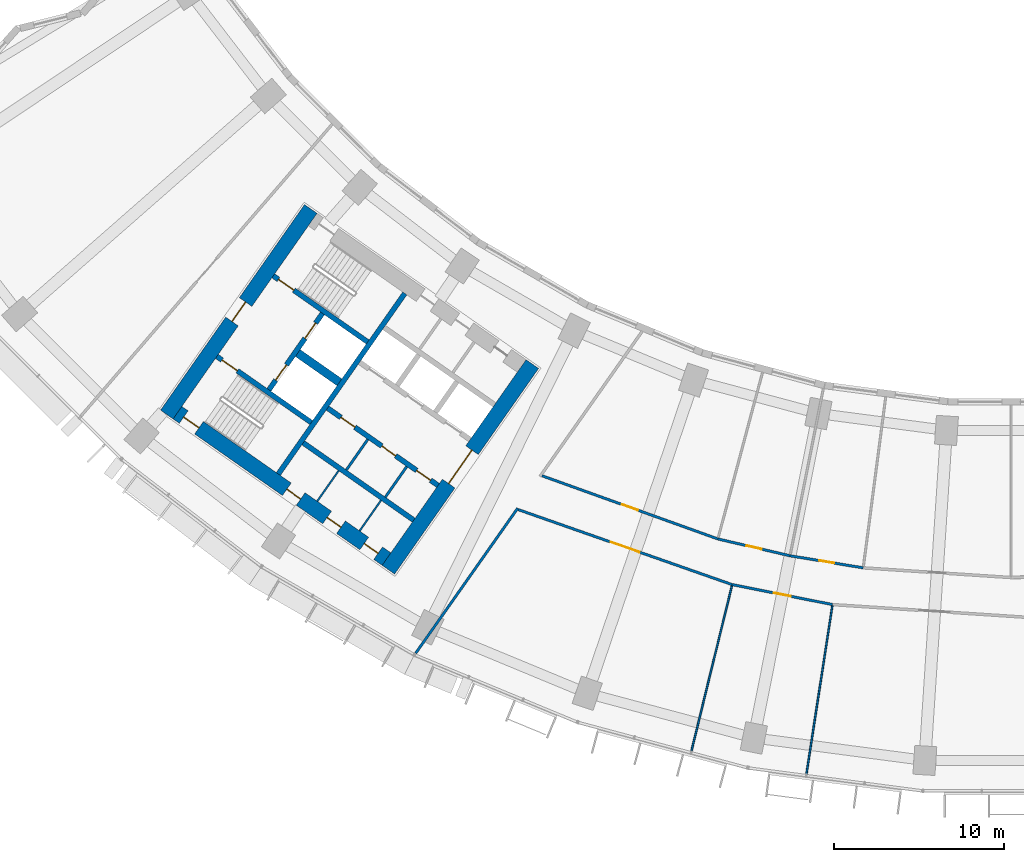
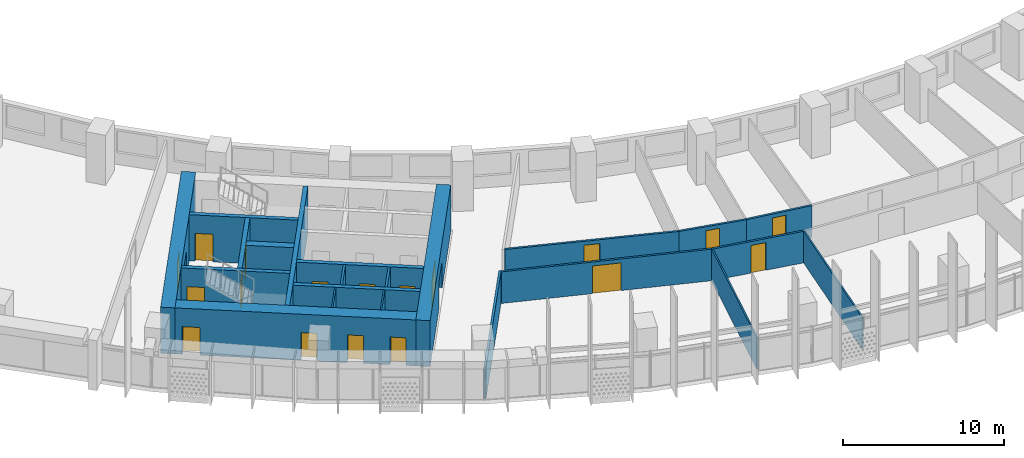
# One storey, part 3 of 33: 22 walls, 18 doors, 18 openings.
"""IFC4 building model written with IfcOpenShell, lengths in metres."""

from ifc_helpers import new_model, si_unit, direction, frame, frame_2d, origin, place, context, subcontext, project, spatial, rectangle, extrude, material, layer, layer_set, type_object, element, fill, save


model = new_model("IFC4")

# Units and contexts
model_context = context("Model", 3, precision=1e-05, world=origin(), true_north=direction((0.0, 1.0)))
body_context = subcontext(model_context, "Body", "Model", "MODEL_VIEW")
ifc_project = project(units=[si_unit("LENGTHUNIT", "METRE"), si_unit("AREAUNIT", "SQUARE_METRE"), si_unit("VOLUMEUNIT", "CUBIC_METRE"), si_unit("PLANEANGLEUNIT", "RADIAN"), si_unit("MASSUNIT", "GRAM", prefix="KILO")], contexts=[model_context])

# Site, building, storey
site_placement = place(None, origin())
site = spatial("IfcSite", under=ifc_project, at=site_placement, CompositionType="ELEMENT")
building_placement = place(site_placement, origin())
building = spatial("IfcBuilding", under=site, at=building_placement, Name="Qamariyya Broadcast Tower", CompositionType="ELEMENT")
storey_placement = place(building_placement, frame((0.0, 0.0, 78.5)))
storey = spatial("IfcBuildingStorey", under=building, at=storey_placement, Name="L16", CompositionType="ELEMENT", Elevation=78.5)

# Wall, opening, door
ifc_material_1 = material(Name="Concrete C70/85", Category="concrete")
ifc_layer_1 = layer(ifc_material_1, 0.89990234375)
ifc_layer_set_1 = layer_set([ifc_layer_1], Name="Core wall 900 mm Concrete C70/85")
wall_type_1 = type_object("IfcWallType", Name="Core wall 900 mm Concrete C70/85", PredefinedType="SHEAR", material=ifc_layer_set_1)
wall_1_placement = place(storey_placement, frame((-36.716796875, -66.3369140625, 0.0), z_axis=(0.0, 0.0, 1.0), x_axis=(0.573577477574, 0.819151315216, 0.0)))
wall_1 = element("IfcWall", 1, at=wall_1_placement, inside=storey, type_object=wall_type_1, Name="k-W-L16-WA", PredefinedType="SHEAR", context=body_context, shape_type="SweptSolid", body=[
    extrude(rectangle(XDim=14.800048828125, YDim=0.89990234375, at=frame_2d((7.39990234375, 0.0))), origin(), (0.0, 0.0, 1.0), 3.5),
])
opening_1_placement = place(wall_1_placement, frame((6.199951171875, 0.0, 0.0)))
opening_1 = element("IfcOpeningElement", 2, at=opening_1_placement, cuts=wall_1, Name="Opening KD3-W1", PredefinedType="OPENING", context=body_context, shape_type="SweptSolid", body=[
    extrude(rectangle(XDim=2.39990234375, YDim=2.10009765625, at=frame_2d((1.199951171875, 1.050048828125))), frame((0.0, 0.4599609375, 0.0), z_axis=(0.0, -1.0, 0.0), x_axis=(1.0, 0.0, 0.0)), (0.0, 0.0, 1.0), 0.919921875),
])
ifc_material_2 = material(Name="Steel fire-resisting door leaf", Category="steel")
door_type_1 = type_object("IfcDoorType", Name="Lift lobby door KD3", OperationType="DOUBLE_DOOR_SINGLE_SWING", PredefinedType="DOOR", material=ifc_material_2)
door_1_placement = place(opening_1_placement, origin())
door_1 = element("IfcDoor", 3, at=door_1_placement, inside=storey, type_object=door_type_1, Name="k-W-L16-WA-D1", OperationType="DOUBLE_DOOR_SINGLE_SWING", OverallHeight=2.10009765625, OverallWidth=2.39990234375, PredefinedType="DOOR", context=body_context, shape_type="SweptSolid", body=[
    extrude(rectangle(XDim=2.39990234375, YDim=2.10009765625, at=frame_2d((1.199951171875, 1.050048828125))), frame((0.0, 0.02490234375, 0.0), z_axis=(0.0, -1.0, 0.0), x_axis=(1.0, 0.0, 0.0)), (0.0, 0.0, 1.0), 0.050048828125),
])
fill(opening_1, door_1)

wall_2_placement = place(storey_placement, frame((-49.778564453125, -57.191162109375, 0.0), z_axis=(0.0, 0.0, 1.0), x_axis=(0.573577477574, 0.819151315216, 0.0)))
wall_2 = element("IfcWall", 4, at=wall_2_placement, inside=storey, type_object=wall_type_1, Name="k-W-L16-WH", PredefinedType="SHEAR", context=body_context, shape_type="SweptSolid", body=[
    extrude(rectangle(XDim=14.800048828125, YDim=0.89990234375, at=frame_2d((7.39990234375, 0.0))), origin(), (0.0, 0.0, 1.0), 3.5),
])
opening_2_placement = place(wall_2_placement, frame((6.699951171875, 0.0, 0.0)))
opening_2 = element("IfcOpeningElement", 5, at=opening_2_placement, cuts=wall_2, Name="Opening KD2-W1", PredefinedType="OPENING", context=body_context, shape_type="SweptSolid", body=[
    extrude(rectangle(XDim=1.39990234375, YDim=2.10009765625, at=frame_2d((0.699951171875, 1.050048828125))), frame((0.0, 0.4599609375, 0.0), z_axis=(0.0, -1.0, 0.0), x_axis=(1.0, 0.0, 0.0)), (0.0, 0.0, 1.0), 0.919921875),
])
door_type_2 = type_object("IfcDoorType", Name="Fire-fighting lobby door KD2", OperationType="DOUBLE_DOOR_SINGLE_SWING", PredefinedType="DOOR", material=ifc_material_2)
door_2_placement = place(opening_2_placement, origin())
door_2 = element("IfcDoor", 6, at=door_2_placement, inside=storey, type_object=door_type_2, Name="k-W-L16-WH-D16", OperationType="DOUBLE_DOOR_SINGLE_SWING", OverallHeight=2.10009765625, OverallWidth=1.39990234375, PredefinedType="DOOR", context=body_context, shape_type="SweptSolid", body=[
    extrude(rectangle(XDim=1.39990234375, YDim=2.10009765625, at=frame_2d((0.699951171875, 1.050048828125))), frame((0.0, 0.02490234375, 0.0), z_axis=(0.0, -1.0, 0.0), x_axis=(1.0, 0.0, 0.0)), (0.0, 0.0, 1.0), 0.050048828125),
])
fill(opening_2, door_2)

# Wall, openings, doors
wall_3_placement = place(storey_placement, frame((-36.827392578125, -65.710205078125, 0.0), z_axis=(0.0, 0.0, 1.0), x_axis=(-0.819153391756, 0.573574511963, 0.0)))
wall_3 = element("IfcWall", 7, at=wall_3_placement, inside=storey, type_object=wall_type_1, Name="k-W-L16-WO", PredefinedType="SHEAR", context=body_context, shape_type="SweptSolid", body=[
    extrude(rectangle(XDim=15.04541015625, YDim=0.89990234375, at=frame_2d((7.522705078125, 0.0))), origin(), (0.0, 0.0, 1.0), 3.5),
])
opening_3_placement = place(wall_3_placement, frame((0.60009765625, 0.0, 0.0)))
opening_3 = element("IfcOpeningElement", 8, at=opening_3_placement, cuts=wall_3, Name="Opening KD4-W1", PredefinedType="OPENING", context=body_context, shape_type="SweptSolid", body=[
    extrude(rectangle(XDim=1.0, YDim=2.10009765625, at=frame_2d((0.5, 1.050048828125))), frame((0.0, 0.4599609375, 0.0), z_axis=(0.0, -1.0, 0.0), x_axis=(1.0, 0.0, 0.0)), (0.0, 0.0, 1.0), 0.919921875),
])
opening_4_placement = place(wall_3_placement, frame((3.27490234375, 0.0, 0.0)))
opening_4 = element("IfcOpeningElement", 9, at=opening_4_placement, cuts=wall_3, Name="Opening KD4-W2", PredefinedType="OPENING", context=body_context, shape_type="SweptSolid", body=[
    extrude(rectangle(XDim=1.0, YDim=2.10009765625, at=frame_2d((0.5, 1.050048828125))), frame((0.0, 0.4599609375, 0.0), z_axis=(0.0, -1.0, 0.0), x_axis=(1.0, 0.0, 0.0)), (0.0, 0.0, 1.0), 0.919921875),
])
opening_5_placement = place(wall_3_placement, frame((6.175048828125, 0.0, 0.0)))
opening_5 = element("IfcOpeningElement", 10, at=opening_5_placement, cuts=wall_3, Name="Opening KD4-W3", PredefinedType="OPENING", context=body_context, shape_type="SweptSolid", body=[
    extrude(rectangle(XDim=1.0, YDim=2.10009765625, at=frame_2d((0.5, 1.050048828125))), frame((0.0, 0.4599609375, 0.0), z_axis=(0.0, -1.0, 0.0), x_axis=(1.0, 0.0, 0.0)), (0.0, 0.0, 1.0), 0.919921875),
])
opening_6_placement = place(wall_3_placement, frame((13.495361328125, 0.0, 0.0)))
opening_6 = element("IfcOpeningElement", 11, at=opening_6_placement, cuts=wall_3, Name="Opening KD1-W3", PredefinedType="OPENING", context=body_context, shape_type="SweptSolid", body=[
    extrude(rectangle(XDim=1.10009765625, YDim=2.10009765625, at=frame_2d((0.550048828125, 1.050048828125))), frame((0.0, 0.4599609375, 0.0), z_axis=(0.0, -1.0, 0.0), x_axis=(1.0, 0.0, 0.0)), (0.0, 0.0, 1.0), 0.919921875),
])
door_type_3 = type_object("IfcDoorType", Name="Riser and plant door KD4", OperationType="SINGLE_SWING_LEFT", PredefinedType="DOOR", material=ifc_material_2)
door_3_placement = place(opening_3_placement, origin())
door_3 = element("IfcDoor", 12, at=door_3_placement, inside=storey, type_object=door_type_3, Name="k-W-L16-WO-D11", OperationType="SINGLE_SWING_RIGHT", OverallHeight=2.10009765625, OverallWidth=1.0, PredefinedType="DOOR", context=body_context, shape_type="SweptSolid", body=[
    extrude(rectangle(XDim=1.0, YDim=2.10009765625, at=frame_2d((0.5, 1.050048828125))), frame((0.0, 0.02490234375, 0.0), z_axis=(0.0, -1.0, 0.0), x_axis=(1.0, 0.0, 0.0)), (0.0, 0.0, 1.0), 0.050048828125),
])
fill(opening_3, door_3)
door_4_placement = place(opening_4_placement, origin())
door_4 = element("IfcDoor", 13, at=door_4_placement, inside=storey, type_object=door_type_3, Name="k-W-L16-WO-D12", OperationType="SINGLE_SWING_LEFT", OverallHeight=2.10009765625, OverallWidth=1.0, PredefinedType="DOOR", context=body_context, shape_type="SweptSolid", body=[
    extrude(rectangle(XDim=1.0, YDim=2.10009765625, at=frame_2d((0.5, 1.050048828125))), frame((0.0, 0.02490234375, 0.0), z_axis=(0.0, -1.0, 0.0), x_axis=(1.0, 0.0, 0.0)), (0.0, 0.0, 1.0), 0.050048828125),
])
fill(opening_4, door_4)
door_5_placement = place(opening_5_placement, origin())
door_5 = element("IfcDoor", 14, at=door_5_placement, inside=storey, type_object=door_type_3, Name="k-W-L16-WO-D13", OperationType="SINGLE_SWING_RIGHT", OverallHeight=2.10009765625, OverallWidth=1.0, PredefinedType="DOOR", context=body_context, shape_type="SweptSolid", body=[
    extrude(rectangle(XDim=1.0, YDim=2.10009765625, at=frame_2d((0.5, 1.050048828125))), frame((0.0, 0.02490234375, 0.0), z_axis=(0.0, -1.0, 0.0), x_axis=(1.0, 0.0, 0.0)), (0.0, 0.0, 1.0), 0.050048828125),
])
fill(opening_5, door_5)
door_type_4 = type_object("IfcDoorType", Name="Stair door KD1", OperationType="SINGLE_SWING_LEFT", PredefinedType="DOOR", material=ifc_material_2)
door_6_placement = place(opening_6_placement, origin())
door_6 = element("IfcDoor", 15, at=door_6_placement, inside=storey, type_object=door_type_4, Name="k-W-L16-WO-D19", OperationType="SINGLE_SWING_LEFT", OverallHeight=2.10009765625, OverallWidth=1.10009765625, PredefinedType="DOOR", context=body_context, shape_type="SweptSolid", body=[
    extrude(rectangle(XDim=1.10009765625, YDim=2.10009765625, at=frame_2d((0.550048828125, 1.050048828125))), frame((0.0, 0.02490234375, 0.0), z_axis=(0.0, -1.0, 0.0), x_axis=(1.0, 0.0, 0.0)), (0.0, 0.0, 1.0), 0.050048828125),
])
fill(opening_6, door_6)

# Wall
ifc_material_3 = material(Name="Gypsum board partition")
ifc_layer_2 = layer(ifc_material_3, 0.14990234375)
ifc_layer_set_2 = layer_set([ifc_layer_2], Name="Corridor partition 150 EI 60")
wall_type_2 = type_object("IfcWallType", Name="Corridor partition 150 EI 60", PredefinedType="PARTITIONING", material=ifc_layer_set_2)
wall_4_placement = place(storey_placement, frame((-29.087890625, -62.708251953125, 0.0), z_axis=(0.0, 0.0, 1.0), x_axis=(-0.575411972256, -0.817863718589, 0.0)))
element("IfcWall", 16, at=wall_4_placement, inside=storey, type_object=wall_type_2, Name="Partition L16-002", PredefinedType="PARTITIONING", context=body_context, shape_type="SweptSolid", body=[
    extrude(rectangle(XDim=10.471435546875, YDim=0.14990234375, at=frame_2d((5.23583984375, 0.0))), origin(), (0.0, 0.0, 1.0), 2.39990234375),
])

# Wall, opening, door
wall_5_placement = place(storey_placement, frame((-16.446044921875, -67.21728515625, 0.0), z_axis=(0.0, 0.0, 1.0), x_axis=(-0.943674836728, 0.330874300189, 0.0)))
wall_5 = element("IfcWall", 17, at=wall_5_placement, inside=storey, type_object=wall_type_2, Name="Partition L16-003", PredefinedType="PARTITIONING", context=body_context, shape_type="SweptSolid", body=[
    extrude(rectangle(XDim=13.3671875, YDim=0.14990234375, at=frame_2d((6.68359375, 0.0))), origin(), (0.0, 0.0, 1.0), 2.39990234375),
])
opening_7_placement = place(wall_5_placement, frame((5.783447265625, 0.0, 0.0)))
opening_7 = element("IfcOpeningElement", 18, at=opening_7_placement, cuts=wall_5, Name="Opening L16-D01", PredefinedType="OPENING", context=body_context, shape_type="SweptSolid", body=[
    extrude(rectangle(XDim=1.800048828125, YDim=2.10009765625, at=frame_2d((0.89990234375, 1.050048828125))), frame((0.0, 0.0849609375, 0.0), z_axis=(0.0, -1.0, 0.0), x_axis=(1.0, 0.0, 0.0)), (0.0, 0.0, 1.0), 0.169921875),
])
ifc_material_4 = material(Name="Timber fire door leaf", Category="wood")
door_type_5 = type_object("IfcDoorType", Name="Double fire door 1800 x 2100 FD60", OperationType="NOTDEFINED", PredefinedType="DOOR", material=ifc_material_4)
door_7_placement = place(opening_7_placement, origin())
door_7 = element("IfcDoor", 19, at=door_7_placement, inside=storey, type_object=door_type_5, Name="Door L16-D01", OperationType="DOUBLE_DOOR_SINGLE_SWING", OverallHeight=2.10009765625, OverallWidth=1.800048828125, PredefinedType="DOOR", context=body_context, shape_type="SweptSolid", body=[
    extrude(rectangle(XDim=1.800048828125, YDim=2.10009765625, at=frame_2d((0.89990234375, 1.050048828125))), frame((0.0, 0.02490234375, 0.0), z_axis=(0.0, -1.0, 0.0), x_axis=(1.0, 0.0, 0.0)), (0.0, 0.0, 1.0), 0.050048828125),
])
fill(opening_7, door_7)

wall_6_placement = place(storey_placement, frame((-27.65625, -60.79931640625, 0.0), z_axis=(0.0, 0.0, 1.0), x_axis=(0.941106453562, -0.338110400705, 0.0)))
wall_6 = element("IfcWall", 20, at=wall_6_placement, inside=storey, type_object=wall_type_2, Name="Partition L16-004", PredefinedType="PARTITIONING", context=body_context, shape_type="SweptSolid", body=[
    extrude(rectangle(XDim=11.015869140625, YDim=0.14990234375, at=frame_2d((5.5078125, 0.0))), origin(), (0.0, 0.0, 1.0), 2.39990234375),
])
opening_8_placement = place(wall_6_placement, frame((5.008056640625, 0.0, 0.0)))
opening_8 = element("IfcOpeningElement", 21, at=opening_8_placement, cuts=wall_6, Name="Opening L16-D06", PredefinedType="OPENING", context=body_context, shape_type="SweptSolid", body=[
    extrude(rectangle(XDim=1.0, YDim=2.10009765625, at=frame_2d((0.5, 1.050048828125))), frame((0.0, 0.0849609375, 0.0), z_axis=(0.0, -1.0, 0.0), x_axis=(1.0, 0.0, 0.0)), (0.0, 0.0, 1.0), 0.169921875),
])
door_type_6 = type_object("IfcDoorType", Name="Fire door 1000 x 2100 FD60", OperationType="NOTDEFINED", PredefinedType="DOOR", material=ifc_material_4)
door_8_placement = place(opening_8_placement, origin())
door_8 = element("IfcDoor", 22, at=door_8_placement, inside=storey, type_object=door_type_6, Name="Door L16-D06", OperationType="SINGLE_SWING_RIGHT", OverallHeight=2.10009765625, OverallWidth=1.0, PredefinedType="DOOR", context=body_context, shape_type="SweptSolid", body=[
    extrude(rectangle(XDim=1.0, YDim=2.10009765625, at=frame_2d((0.5, 1.050048828125))), frame((0.0, 0.02490234375, 0.0), z_axis=(0.0, -1.0, 0.0), x_axis=(1.0, 0.0, 0.0)), (0.0, 0.0, 1.0), 0.050048828125),
])
fill(opening_8, door_8)

wall_7_placement = place(storey_placement, frame((-17.2890625, -64.52392578125, 0.0), z_axis=(0.0, 0.0, 1.0), x_axis=(0.973886095728, -0.227037161159, 0.0)))
wall_7 = element("IfcWall", 23, at=wall_7_placement, inside=storey, type_object=wall_type_2, Name="Partition L16-007", PredefinedType="PARTITIONING", context=body_context, shape_type="SweptSolid", body=[
    extrude(rectangle(XDim=4.371337890625, YDim=0.14990234375, at=frame_2d((2.185546875, 0.0))), origin(), (0.0, 0.0, 1.0), 2.39990234375),
])
opening_9_placement = place(wall_7_placement, frame((1.735595703125, 0.0, 0.0)))
opening_9 = element("IfcOpeningElement", 24, at=opening_9_placement, cuts=wall_7, Name="Opening L16-D07", PredefinedType="OPENING", context=body_context, shape_type="SweptSolid", body=[
    extrude(rectangle(XDim=0.89990234375, YDim=2.10009765625, at=frame_2d((0.449951171875, 1.050048828125))), frame((0.0, 0.0849609375, 0.0), z_axis=(0.0, -1.0, 0.0), x_axis=(1.0, 0.0, 0.0)), (0.0, 0.0, 1.0), 0.169921875),
])
door_type_7 = type_object("IfcDoorType", Name="Fire door 900 x 2100 FD60", OperationType="NOTDEFINED", PredefinedType="DOOR", material=ifc_material_4)
door_9_placement = place(opening_9_placement, origin())
door_9 = element("IfcDoor", 25, at=door_9_placement, inside=storey, type_object=door_type_7, Name="Door L16-D07", OperationType="SINGLE_SWING_RIGHT", OverallHeight=2.10009765625, OverallWidth=0.89990234375, PredefinedType="DOOR", context=body_context, shape_type="SweptSolid", body=[
    extrude(rectangle(XDim=0.89990234375, YDim=2.10009765625, at=frame_2d((0.449951171875, 1.050048828125))), frame((0.0, 0.02490234375, 0.0), z_axis=(0.0, -1.0, 0.0), x_axis=(1.0, 0.0, 0.0)), (0.0, 0.0, 1.0), 0.050048828125),
])
fill(opening_9, door_9)

wall_8_placement = place(storey_placement, frame((-10.52880859375, -68.394287109375, 0.0), z_axis=(0.0, 0.0, 1.0), x_axis=(-0.980785582749, 0.195088802015, 0.0)))
wall_8 = element("IfcWall", 26, at=wall_8_placement, inside=storey, type_object=wall_type_2, Name="Partition L16-008", PredefinedType="PARTITIONING", context=body_context, shape_type="SweptSolid", body=[
    extrude(rectangle(XDim=6.033203125, YDim=0.14990234375, at=frame_2d((3.0166015625, 0.0))), origin(), (0.0, 0.0, 1.0), 2.39990234375),
])
opening_10_placement = place(wall_8_placement, frame((2.5166015625, 0.0, 0.0)))
opening_10 = element("IfcOpeningElement", 27, at=opening_10_placement, cuts=wall_8, Name="Opening L16-D02", PredefinedType="OPENING", context=body_context, shape_type="SweptSolid", body=[
    extrude(rectangle(XDim=1.0, YDim=2.10009765625, at=frame_2d((0.5, 1.050048828125))), frame((0.0, 0.0849609375, 0.0), z_axis=(0.0, -1.0, 0.0), x_axis=(1.0, 0.0, 0.0)), (0.0, 0.0, 1.0), 0.169921875),
])
door_10_placement = place(opening_10_placement, origin())
door_10 = element("IfcDoor", 28, at=door_10_placement, inside=storey, type_object=door_type_6, Name="Door L16-D02", OperationType="SINGLE_SWING_RIGHT", OverallHeight=2.10009765625, OverallWidth=1.0, PredefinedType="DOOR", context=body_context, shape_type="SweptSolid", body=[
    extrude(rectangle(XDim=1.0, YDim=2.10009765625, at=frame_2d((0.5, 1.050048828125))), frame((0.0, 0.02490234375, 0.0), z_axis=(0.0, -1.0, 0.0), x_axis=(1.0, 0.0, 0.0)), (0.0, 0.0, 1.0), 0.050048828125),
])
fill(opening_10, door_10)

wall_9_placement = place(storey_placement, frame((-13.031982421875, -65.516357421875, 0.0), z_axis=(0.0, 0.0, 1.0), x_axis=(0.986638873051, -0.162922479065, 0.0)))
wall_9 = element("IfcWall", 29, at=wall_9_placement, inside=storey, type_object=wall_type_2, Name="Partition L16-010", PredefinedType="PARTITIONING", context=body_context, shape_type="SweptSolid", body=[
    extrude(rectangle(XDim=4.37109375, YDim=0.14990234375, at=frame_2d((2.185546875, 0.0))), origin(), (0.0, 0.0, 1.0), 2.39990234375),
])
opening_11_placement = place(wall_9_placement, frame((1.735595703125, 0.0, 0.0)))
opening_11 = element("IfcOpeningElement", 30, at=opening_11_placement, cuts=wall_9, Name="Opening L16-D08", PredefinedType="OPENING", context=body_context, shape_type="SweptSolid", body=[
    extrude(rectangle(XDim=0.89990234375, YDim=2.10009765625, at=frame_2d((0.449951171875, 1.050048828125))), frame((0.0, 0.0849609375, 0.0), z_axis=(0.0, -1.0, 0.0), x_axis=(1.0, 0.0, 0.0)), (0.0, 0.0, 1.0), 0.169921875),
])
door_11_placement = place(opening_11_placement, origin())
door_11 = element("IfcDoor", 31, at=door_11_placement, inside=storey, type_object=door_type_7, Name="Door L16-D08", OperationType="SINGLE_SWING_RIGHT", OverallHeight=2.10009765625, OverallWidth=0.89990234375, PredefinedType="DOOR", context=body_context, shape_type="SweptSolid", body=[
    extrude(rectangle(XDim=0.89990234375, YDim=2.10009765625, at=frame_2d((0.449951171875, 1.050048828125))), frame((0.0, 0.02490234375, 0.0), z_axis=(0.0, -1.0, 0.0), x_axis=(1.0, 0.0, 0.0)), (0.0, 0.0, 1.0), 0.050048828125),
])
fill(opening_11, door_11)

# Walls
ifc_material_5 = material(Name="Concrete C60/75", Category="concrete")
ifc_layer_3 = layer(ifc_material_5, 0.5)
ifc_layer_set_3 = layer_set([ifc_layer_3], Name="Fire-fighting lobby divider wall 500 mm Concrete C60/75")
wall_type_3 = type_object("IfcWallType", Name="Fire-fighting lobby divider wall 500 mm Concrete C60/75", PredefinedType="SOLIDWALL", material=ifc_layer_set_3)
wall_10_placement = place(storey_placement, frame((-39.59912109375, -55.28515625, 0.0), z_axis=(0.0, 0.0, 1.0), x_axis=(-0.819136323161, 0.573598887793, 0.0)))
element("IfcWall", 32, at=wall_10_placement, inside=storey, type_object=wall_type_3, Name="k-W-L16-FD", PredefinedType="SOLIDWALL", context=body_context, shape_type="SweptSolid", body=[
    extrude(rectangle(XDim=2.999755859375, YDim=0.5, at=frame_2d((1.5, 0.0))), origin(), (0.0, 0.0, 1.0), 3.5),
])
ifc_material_6 = material(Name="Gypsum board partition on steel studs", Category="steel")
ifc_layer_4 = layer(ifc_material_6, 0.14990234375)
ifc_layer_set_4 = layer_set([ifc_layer_4], Name="Gypsum board partition 150 mm")
wall_type_4 = type_object("IfcWallType", Name="Gypsum board partition 150 mm", PredefinedType="PARTITIONING", material=ifc_layer_set_4)
for number, where, z_axis, x_axis, name in (
    (33, (-35.634521484375, -60.25830078125, 0.0), (0.0, 0.0, 1.0), (-0.573581496053, -0.819148501424, 0.0), "k-W-L16-SC215"),
    (34, (-37.92822265625, -58.65234375, 0.0), (0.0, 0.0, 1.0), (-0.573581496053, -0.819148501424, 0.0), "k-W-L16-SC495"),
):
    element("IfcWall", number, at=place(storey_placement, frame(where, z_axis=z_axis, x_axis=x_axis)), inside=storey, type_object=wall_type_4, Name=name, PredefinedType="PARTITIONING", context=body_context, shape_type="SweptSolid", body=[
        extrude(rectangle(XDim=2.2001953125, YDim=0.14990234375, at=frame_2d((1.10009765625, 0.0))), origin(), (0.0, 0.0, 1.0), 3.5),
    ])
ifc_layer_5 = layer(ifc_material_5, 0.300048828125)
ifc_layer_set_5 = layer_set([ifc_layer_5], Name="Lift shaft wall 300 mm Concrete C60/75")
wall_type_5 = type_object("IfcWallType", Name="Lift shaft wall 300 mm Concrete C60/75", PredefinedType="SOLIDWALL", material=ifc_layer_set_5)
wall_11_placement = place(storey_placement, frame((-43.204345703125, -60.69580078125, 0.0), z_axis=(0.0, 0.0, 1.0), x_axis=(0.573571992966, 0.819155155563, 0.0)))
element("IfcWall", 35, at=wall_11_placement, inside=storey, type_object=wall_type_5, Name="k-W-L16-WL", PredefinedType="SOLIDWALL", context=body_context, shape_type="SweptSolid", body=[
    extrude(rectangle(XDim=13.000244140625, YDim=0.300048828125, at=frame_2d((6.5, 0.0))), origin(), (0.0, 0.0, 1.0), 3.5),
])

# Wall, openings, doors
wall_12_placement = place(storey_placement, frame((-33.787353515625, -61.368896484375, 0.0), z_axis=(0.0, 0.0, 1.0), x_axis=(-0.819152564888, 0.573575692858, 0.0)))
wall_12 = element("IfcWall", 36, at=wall_12_placement, inside=storey, type_object=wall_type_5, Name="k-W-L16-SF0", PredefinedType="SOLIDWALL", context=body_context, shape_type="SweptSolid", body=[
    extrude(rectangle(XDim=7.9501953125, YDim=0.300048828125, at=frame_2d((3.97509765625, 0.0))), origin(), (0.0, 0.0, 1.0), 3.5),
])
opening_12_placement = place(wall_12_placement, frame((0.53759765625, 0.0, 0.0)))
opening_12 = element("IfcOpeningElement", 37, at=opening_12_placement, cuts=wall_12, Name="Opening KD6-W1", PredefinedType="OPENING", context=body_context, shape_type="SweptSolid", body=[
    extrude(rectangle(XDim=1.0, YDim=2.10009765625, at=frame_2d((0.5, 1.050048828125))), frame((0.0, 0.159912109375, 0.0), z_axis=(0.0, -1.0, 0.0), x_axis=(1.0, 0.0, 0.0)), (0.0, 0.0, 1.0), 0.320068359375),
])
opening_13_placement = place(wall_12_placement, frame((3.050048828125, 0.0, 0.0)))
opening_13 = element("IfcOpeningElement", 38, at=opening_13_placement, cuts=wall_12, Name="Opening KD6-W2", PredefinedType="OPENING", context=body_context, shape_type="SweptSolid", body=[
    extrude(rectangle(XDim=1.0, YDim=2.10009765625, at=frame_2d((0.5, 1.050048828125))), frame((0.0, 0.159912109375, 0.0), z_axis=(0.0, -1.0, 0.0), x_axis=(1.0, 0.0, 0.0)), (0.0, 0.0, 1.0), 0.320068359375),
])
opening_14_placement = place(wall_12_placement, frame((5.987548828125, 0.0, 0.0)))
opening_14 = element("IfcOpeningElement", 39, at=opening_14_placement, cuts=wall_12, Name="Opening KD6-W3", PredefinedType="OPENING", context=body_context, shape_type="SweptSolid", body=[
    extrude(rectangle(XDim=1.0, YDim=2.10009765625, at=frame_2d((0.5, 1.050048828125))), frame((0.0, 0.159912109375, 0.0), z_axis=(0.0, -1.0, 0.0), x_axis=(1.0, 0.0, 0.0)), (0.0, 0.0, 1.0), 0.320068359375),
])
door_type_8 = type_object("IfcDoorType", Name="Core room door KD6", OperationType="SINGLE_SWING_LEFT", PredefinedType="DOOR", material=ifc_material_2)
door_12_placement = place(opening_12_placement, origin())
door_12 = element("IfcDoor", 40, at=door_12_placement, inside=storey, type_object=door_type_8, Name="k-W-L16-SF0-D5", OperationType="SINGLE_SWING_RIGHT", OverallHeight=2.10009765625, OverallWidth=1.0, PredefinedType="DOOR", context=body_context, shape_type="SweptSolid", body=[
    extrude(rectangle(XDim=1.0, YDim=2.10009765625, at=frame_2d((0.5, 1.050048828125))), frame((0.0, 0.02490234375, 0.0), z_axis=(0.0, -1.0, 0.0), x_axis=(1.0, 0.0, 0.0)), (0.0, 0.0, 1.0), 0.050048828125),
])
fill(opening_12, door_12)
door_13_placement = place(opening_13_placement, origin())
door_13 = element("IfcDoor", 41, at=door_13_placement, inside=storey, type_object=door_type_8, Name="k-W-L16-SF0-D6", OperationType="SINGLE_SWING_LEFT", OverallHeight=2.10009765625, OverallWidth=1.0, PredefinedType="DOOR", context=body_context, shape_type="SweptSolid", body=[
    extrude(rectangle(XDim=1.0, YDim=2.10009765625, at=frame_2d((0.5, 1.050048828125))), frame((0.0, 0.02490234375, 0.0), z_axis=(0.0, -1.0, 0.0), x_axis=(1.0, 0.0, 0.0)), (0.0, 0.0, 1.0), 0.050048828125),
])
fill(opening_13, door_13)
door_14_placement = place(opening_14_placement, origin())
door_14 = element("IfcDoor", 42, at=door_14_placement, inside=storey, type_object=door_type_8, Name="k-W-L16-SF0-D7", OperationType="SINGLE_SWING_RIGHT", OverallHeight=2.10009765625, OverallWidth=1.0, PredefinedType="DOOR", context=body_context, shape_type="SweptSolid", body=[
    extrude(rectangle(XDim=1.0, YDim=2.10009765625, at=frame_2d((0.5, 1.050048828125))), frame((0.0, 0.02490234375, 0.0), z_axis=(0.0, -1.0, 0.0), x_axis=(1.0, 0.0, 0.0)), (0.0, 0.0, 1.0), 0.050048828125),
])
fill(opening_14, door_14)

# Wall
wall_13_placement = place(storey_placement, frame((-35.22119140625, -63.41650390625, 0.0), z_axis=(0.0, 0.0, 1.0), x_axis=(-0.819166993208, 0.573555086491, 0.0)))
element("IfcWall", 43, at=wall_13_placement, inside=storey, type_object=wall_type_5, Name="k-W-L16-SB0", PredefinedType="SOLIDWALL", context=body_context, shape_type="SweptSolid", body=[
    extrude(rectangle(XDim=7.9501953125, YDim=0.300048828125, at=frame_2d((3.97509765625, 0.0))), origin(), (0.0, 0.0, 1.0), 3.5),
])

# Wall, opening, door
wall_14_placement = place(storey_placement, frame((-37.935546875, -52.90966796875, 0.0), z_axis=(0.0, 0.0, 1.0), x_axis=(-0.819147518138, 0.57358290031, 0.0)))
wall_14 = element("IfcWall", 44, at=wall_14_placement, inside=storey, type_object=wall_type_5, Name="k-W-L16-NW", PredefinedType="SOLIDWALL", context=body_context, shape_type="SweptSolid", body=[
    extrude(rectangle(XDim=6.79541015625, YDim=0.300048828125, at=frame_2d((3.397705078125, 0.0))), origin(), (0.0, 0.0, 1.0), 3.5),
])
opening_15_placement = place(wall_14_placement, frame((5.3203125, 0.0, 0.0)))
opening_15 = element("IfcOpeningElement", 45, at=opening_15_placement, cuts=wall_14, Name="Opening KD1-W2", PredefinedType="OPENING", context=body_context, shape_type="SweptSolid", body=[
    extrude(rectangle(XDim=1.10009765625, YDim=2.10009765625, at=frame_2d((0.550048828125, 1.050048828125))), frame((0.0, 0.159912109375, 0.0), z_axis=(0.0, -1.0, 0.0), x_axis=(1.0, 0.0, 0.0)), (0.0, 0.0, 1.0), 0.320068359375),
])
door_15_placement = place(opening_15_placement, origin())
door_15 = element("IfcDoor", 46, at=door_15_placement, inside=storey, type_object=door_type_4, Name="k-W-L16-NW-D18", OperationType="SINGLE_SWING_LEFT", OverallHeight=2.10009765625, OverallWidth=1.10009765625, PredefinedType="DOOR", context=body_context, shape_type="SweptSolid", body=[
    extrude(rectangle(XDim=1.10009765625, YDim=2.10009765625, at=frame_2d((0.550048828125, 1.050048828125))), frame((0.0, 0.02490234375, 0.0), z_axis=(0.0, -1.0, 0.0), x_axis=(1.0, 0.0, 0.0)), (0.0, 0.0, 1.0), 0.050048828125),
])
fill(opening_15, door_15)

wall_15_placement = place(storey_placement, frame((-41.262451171875, -57.66064453125, 0.0), z_axis=(0.0, 0.0, 1.0), x_axis=(-0.819164398642, 0.573558792102, 0.0)))
wall_15 = element("IfcWall", 47, at=wall_15_placement, inside=storey, type_object=wall_type_5, Name="k-W-L16-SW", PredefinedType="SOLIDWALL", context=body_context, shape_type="SweptSolid", body=[
    extrude(rectangle(XDim=6.795166015625, YDim=0.300048828125, at=frame_2d((3.3974609375, 0.0))), origin(), (0.0, 0.0, 1.0), 3.5),
])
opening_16_placement = place(wall_15_placement, frame((5.3203125, 0.0, 0.0)))
opening_16 = element("IfcOpeningElement", 48, at=opening_16_placement, cuts=wall_15, Name="Opening KD1-W4", PredefinedType="OPENING", context=body_context, shape_type="SweptSolid", body=[
    extrude(rectangle(XDim=1.10009765625, YDim=2.10009765625, at=frame_2d((0.550048828125, 1.050048828125))), frame((0.0, 0.159912109375, 0.0), z_axis=(0.0, -1.0, 0.0), x_axis=(1.0, 0.0, 0.0)), (0.0, 0.0, 1.0), 0.320068359375),
])
door_16_placement = place(opening_16_placement, origin())
door_16 = element("IfcDoor", 49, at=door_16_placement, inside=storey, type_object=door_type_4, Name="k-W-L16-SW-D20", OperationType="SINGLE_SWING_LEFT", OverallHeight=2.10009765625, OverallWidth=1.10009765625, PredefinedType="DOOR", context=body_context, shape_type="SweptSolid", body=[
    extrude(rectangle(XDim=1.10009765625, YDim=2.10009765625, at=frame_2d((0.550048828125, 1.050048828125))), frame((0.0, 0.02490234375, 0.0), z_axis=(0.0, -1.0, 0.0), x_axis=(1.0, 0.0, 0.0)), (0.0, 0.0, 1.0), 0.050048828125),
])
fill(opening_16, door_16)

# Wall, openings, doors
wall_16_placement = place(storey_placement, frame((-43.756591796875, -55.731201171875, 0.0), z_axis=(0.0, 0.0, 1.0), x_axis=(0.573536818435, 0.819179783625, 0.0)))
wall_16 = element("IfcWall", 50, at=wall_16_placement, inside=storey, type_object=wall_type_5, Name="k-W-L16-FF", PredefinedType="SOLIDWALL", context=body_context, shape_type="SweptSolid", body=[
    extrude(rectangle(XDim=5.500244140625, YDim=0.300048828125, at=frame_2d((2.75, 0.0))), origin(), (0.0, 0.0, 1.0), 3.5),
])
opening_17_placement = place(wall_16_placement, frame((0.699951171875, 0.0, 0.0)))
opening_17 = element("IfcOpeningElement", 51, at=opening_17_placement, cuts=wall_16, Name="Opening LD", PredefinedType="OPENING", context=body_context, shape_type="SweptSolid", body=[
    extrude(rectangle(XDim=1.10009765625, YDim=2.10009765625, at=frame_2d((0.550048828125, 1.050048828125))), frame((0.0, 0.159912109375, 0.0), z_axis=(0.0, -1.0, 0.0), x_axis=(1.0, 0.0, 0.0)), (0.0, 0.0, 1.0), 0.320068359375),
])
opening_18_placement = place(wall_16_placement, frame((3.699951171875, 0.0, 0.0)))
opening_18 = element("IfcOpeningElement", 52, at=opening_18_placement, cuts=wall_16, Name="Opening LD", PredefinedType="OPENING", context=body_context, shape_type="SweptSolid", body=[
    extrude(rectangle(XDim=1.10009765625, YDim=2.10009765625, at=frame_2d((0.550048828125, 1.050048828125))), frame((0.0, 0.159912109375, 0.0), z_axis=(0.0, -1.0, 0.0), x_axis=(1.0, 0.0, 0.0)), (0.0, 0.0, 1.0), 0.320068359375),
])
door_type_9 = type_object("IfcDoorType", Name="Lift landing door LD", OperationType="DOUBLE_DOOR_SLIDING", PredefinedType="DOOR", material=ifc_material_2)
door_17_placement = place(opening_17_placement, origin())
door_17 = element("IfcDoor", 53, at=door_17_placement, inside=storey, type_object=door_type_9, Name="k-W-L16-FF-D14", OperationType="DOUBLE_DOOR_SLIDING", OverallHeight=2.10009765625, OverallWidth=1.10009765625, PredefinedType="DOOR", context=body_context, shape_type="SweptSolid", body=[
    extrude(rectangle(XDim=1.10009765625, YDim=2.10009765625, at=frame_2d((0.550048828125, 1.050048828125))), frame((0.0, 0.02490234375, 0.0), z_axis=(0.0, -1.0, 0.0), x_axis=(1.0, 0.0, 0.0)), (0.0, 0.0, 1.0), 0.050048828125),
])
fill(opening_17, door_17)
door_18_placement = place(opening_18_placement, origin())
door_18 = element("IfcDoor", 54, at=door_18_placement, inside=storey, type_object=door_type_9, Name="k-W-L16-FF-D15", OperationType="DOUBLE_DOOR_SLIDING", OverallHeight=2.10009765625, OverallWidth=1.10009765625, PredefinedType="DOOR", context=body_context, shape_type="SweptSolid", body=[
    extrude(rectangle(XDim=1.10009765625, YDim=2.10009765625, at=frame_2d((0.550048828125, 1.050048828125))), frame((0.0, 0.02490234375, 0.0), z_axis=(0.0, -1.0, 0.0), x_axis=(1.0, 0.0, 0.0)), (0.0, 0.0, 1.0), 0.050048828125),
])
fill(opening_18, door_18)

# Walls
ifc_layer_6 = layer(ifc_material_3, 0.10009765625)
ifc_layer_set_6 = layer_set([ifc_layer_6], Name="Partition 100")
wall_type_6 = type_object("IfcWallType", Name="Partition 100", PredefinedType="PARTITIONING", material=ifc_layer_set_6)
wall_17_placement = place(storey_placement, frame((-18.845947265625, -77.0263671875, 0.0), z_axis=(0.0, 0.0, 1.0), x_axis=(0.237655344985, 0.971349544191, 0.0)))
element("IfcWall", 55, at=wall_17_placement, inside=storey, type_object=wall_type_6, Name="Partition L16-006", PredefinedType="PARTITIONING", context=body_context, shape_type="SweptSolid", body=[
    extrude(rectangle(XDim=10.023193359375, YDim=0.10009765625, at=frame_2d((5.01171875, 0.0))), origin(), (0.0, 0.0, 1.0), 2.39990234375),
])
wall_18_placement = place(storey_placement, frame((-12.0654296875, -78.375244140625, 0.0), z_axis=(0.0, 0.0, 1.0), x_axis=(0.152157849461, 0.988356205448, 0.0)))
element("IfcWall", 56, at=wall_18_placement, inside=storey, type_object=wall_type_6, Name="Partition L16-011", PredefinedType="PARTITIONING", context=body_context, shape_type="SweptSolid", body=[
    extrude(rectangle(XDim=10.0234375, YDim=0.10009765625, at=frame_2d((5.01171875, 0.0))), origin(), (0.0, 0.0, 1.0), 2.39990234375),
])
ifc_material_7 = material(Name="Fire-rated gypsum shaft liner on steel studs", Category="steel")
ifc_layer_7 = layer(ifc_material_7, 0.10009765625)
ifc_layer_set_7 = layer_set([ifc_layer_7], Name="Riser wall 100 mm")
wall_type_7 = type_object("IfcWallType", Name="Riser wall 100 mm", PredefinedType="PLUMBINGWALL", material=ifc_layer_set_7)
for number, where, z_axis, x_axis, name in (
    (57, (-37.150390625, -62.2490234375, 0.0), (0.0, 0.0, 1.0), (-0.573633636671, -0.819111989218, 0.0), "k-W-L16-SP225"),
    (58, (-39.64892578125, -60.49951171875, 0.0), (0.0, 0.0, 1.0), (-0.573507030513, -0.819200638399, 0.0), "k-W-L16-SP530"),
):
    element("IfcWall", number, at=place(storey_placement, frame(where, z_axis=z_axis, x_axis=x_axis)), inside=storey, type_object=wall_type_7, Name=name, PredefinedType="PLUMBINGWALL", context=body_context, shape_type="SweptSolid", body=[
        extrude(rectangle(XDim=2.199951171875, YDim=0.10009765625, at=frame_2d((1.10009765625, 0.0))), origin(), (0.0, 0.0, 1.0), 3.5),
    ])

save(model, "model.ifc")
